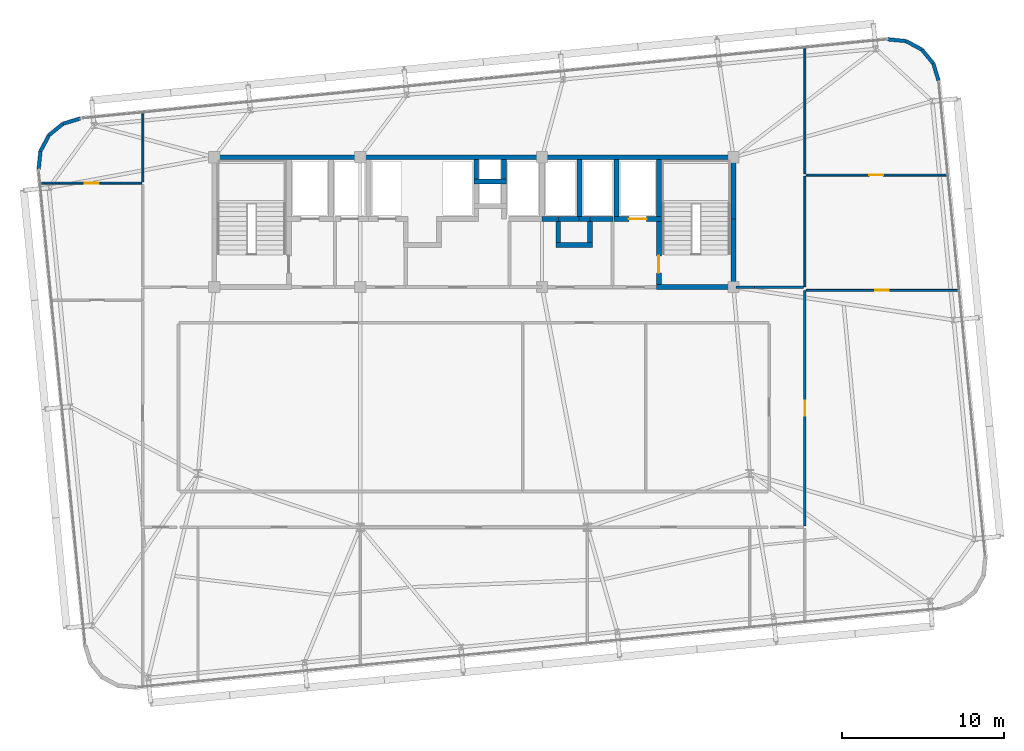
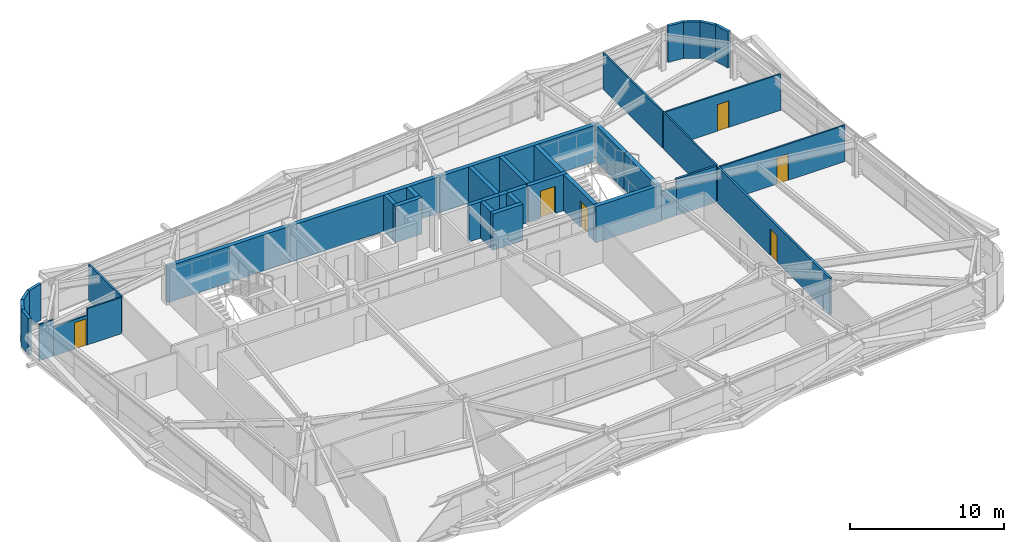
# One storey, part 43 of 47: 40 walls, 6 doors, 6 openings.
"""IFC4 building model written with IfcOpenShell, lengths in metres."""

from ifc_helpers import new_model, si_unit, direction, frame, frame_2d, origin, place, context, subcontext, project, spatial, rectangle, extrude, source, transform, mapped, material, layer, layer_set, type_object, element, fill, save


model = new_model("IFC4")

# Units and contexts
model_context = context("Model", 3, precision=1e-05, world=origin(), true_north=direction((0.0, 1.0)))
body_context = subcontext(model_context, "Body", "Model", "MODEL_VIEW")
ifc_project = project(units=[si_unit("LENGTHUNIT", "METRE"), si_unit("AREAUNIT", "SQUARE_METRE"), si_unit("VOLUMEUNIT", "CUBIC_METRE"), si_unit("PLANEANGLEUNIT", "RADIAN"), si_unit("MASSUNIT", "GRAM", prefix="KILO")], contexts=[model_context])

# Site, building, storey
site_placement = place(None, origin())
site = spatial("IfcSite", under=ifc_project, at=site_placement, CompositionType="ELEMENT")
building_placement = place(site_placement, origin())
building = spatial("IfcBuilding", under=site, at=building_placement, Name="Taldren Reach Tower", CompositionType="ELEMENT")
storey_placement = place(building_placement, frame((0.0, 0.0, 109.199951171875)))
storey = spatial("IfcBuildingStorey", under=building, at=storey_placement, Name="L33", CompositionType="ELEMENT", Elevation=109.199951171875)

# Walls
ifc_material_1 = material(Name="Pale Champagne Anodised Aluminium Cladding", Category="aluminium")
ifc_layer_1 = layer(ifc_material_1, 0.04, Name="Pale Champagne Anodised Aluminium Cladding", Category="aluminium")
ifc_material_2 = material(Name="Mineral Wool Acoustic Insulation", Category="insulation")
ifc_layer_2 = layer(ifc_material_2, 0.06, Name="Mineral Wool Acoustic Insulation", Category="insulation")
ifc_material_3 = material(Name="Steel Gr 350 (C350L0)", Category="steel")
ifc_layer_3 = layer(ifc_material_3, 0.12, Name="Steel Gr 350 (C350L0)", Category="steel")
ifc_layer_set_1 = layer_set([ifc_layer_1, ifc_layer_2, ifc_layer_3], Name="Pale Champagne Aluminium Cladding and Steel Gr 350 Stud Framing")
wall_type_1 = type_object("IfcWallType", Name="EW-CRN-220", PredefinedType="SOLIDWALL", material=ifc_layer_set_1)
shared_shape_1 = source(origin(), body_context, "Body", "SweptSolid", [
    extrude(rectangle(XDim=1.115966796875, YDim=0.219970703125, at=frame_2d((0.55810546875, 0.0))), origin(), (0.0, 0.0, 1.0), 2.8701171875),
])
for number, where, z_axis, x_axis, name in (
    (1, (63.6376953125, 36.6982421875, 0.0), (0.0, 0.0, 1.0), (-0.289855603468, 0.957070388811, 0.0), "Rounded-corner pale-metal facade wall L33-NE1"),
    (2, (62.606689453125, 38.629150390625, 0.0), (0.0, 0.0, 1.0), (-0.881655534635, 0.471893545461, 0.0), "Rounded-corner pale-metal facade wall L33-NE3"),
    (3, (61.622802734375, 39.15576171875, 0.0), (0.0, 0.0, 1.0), (-0.995142755671, 0.09844234778, 0.0), "Rounded-corner pale-metal facade wall L33-NE4"),
    (4, (10.7509765625, 34.386474609375, 0.0), (0.0, 0.0, 1.0), (-0.957070388811, -0.289855603468, 0.0), "Rounded-corner pale-metal facade wall L33-NW1"),
):
    element("IfcWall", number, at=place(storey_placement, frame(where, z_axis=z_axis, x_axis=x_axis)), inside=storey, type_object=wall_type_1, Name=name, PredefinedType="SOLIDWALL", context=body_context, shape_type="MappedRepresentation", body=[
        mapped(shared_shape_1, transform((0.0, 0.0, 0.0), scale=1.0)),
    ])
shared_shape_2 = source(origin(), body_context, "Body", "SweptSolid", [
    extrude(rectangle(XDim=1.11572265625, YDim=0.219970703125, at=frame_2d((0.557861328125, 0.0))), origin(), (0.0, 0.0, 1.0), 2.8701171875),
])
for number, where, z_axis, x_axis, name in (
    (5, (63.314208984375, 37.766357421875, 0.0), (0.0, 0.0, 1.0), (-0.634095287989, 0.773254916409, 0.0), "Rounded-corner pale-metal facade wall L33-NE2"),
    (6, (9.682861328125, 34.06298828125, 0.0), (0.0, 0.0, 1.0), (-0.773254916409, -0.634095287989, 0.0), "Rounded-corner pale-metal facade wall L33-NW2"),
    (7, (8.29345703125, 32.371337890625, 0.0), (0.0, 0.0, 1.0), (-0.098463783145, -0.99514063499, 0.0), "Rounded-corner pale-metal facade wall L33-NW4"),
):
    element("IfcWall", number, at=place(storey_placement, frame(where, z_axis=z_axis, x_axis=x_axis)), inside=storey, type_object=wall_type_1, Name=name, PredefinedType="SOLIDWALL", context=body_context, shape_type="MappedRepresentation", body=[
        mapped(shared_shape_2, transform((0.0, 0.0, 0.0), scale=1.0)),
    ])
shared_shape_3 = source(origin(), body_context, "Body", "SweptSolid", [
    extrude(rectangle(XDim=1.1162109375, YDim=0.219970703125, at=frame_2d((0.55810546875, 0.0))), origin(), (0.0, 0.0, 1.0), 2.8701171875),
])
wall_1_placement = place(storey_placement, frame((8.820068359375, 33.35546875, 0.0), z_axis=(0.0, 0.0, 1.0), x_axis=(-0.471802540493, -0.881704237704, 0.0)))
element("IfcWall", 8, at=wall_1_placement, inside=storey, type_object=wall_type_1, Name="Rounded-corner pale-metal facade wall L33-NW3", PredefinedType="SOLIDWALL", context=body_context, shape_type="MappedRepresentation", body=[
    mapped(shared_shape_3, transform((0.0, 0.0, 0.0), scale=1.0)),
])
ifc_material_4 = material(Name="Concrete S65 (65 MPa)", Category="concrete")
ifc_layer_4 = layer(ifc_material_4, 0.300048828125)
ifc_layer_set_2 = layer_set([ifc_layer_4], Name="Concrete S65 (65 MPa)")
wall_type_2 = type_object("IfcWallType", Name="IW-CORE-300", PredefinedType="SHEAR", material=ifc_layer_set_2)
shared_shape_4 = source(origin(), body_context, "Body", "SweptSolid", [
    extrude(rectangle(XDim=9.14990234375, YDim=0.300048828125, at=frame_2d((4.574951171875, 0.0))), origin(), (0.0, 0.0, 1.0), 2.8701171875),
])
wall_2_placement = place(storey_placement, frame((18.85009765625, 32.0, 0.0), z_axis=(0.0, 0.0, 1.0), x_axis=(1.0, 0.0, 0.0)))
element("IfcWall", 9, at=wall_2_placement, inside=storey, type_object=wall_type_2, Name="Rear Core Shear Wall W-CORE-L33-NORTH1", PredefinedType="SHEAR", context=body_context, shape_type="MappedRepresentation", body=[
    mapped(shared_shape_4, transform((0.0, 0.0, 0.0), scale=1.0)),
])
shared_shape_5 = source(origin(), body_context, "Body", "SweptSolid", [
    extrude(rectangle(XDim=11.199951171875, YDim=0.300048828125, at=frame_2d((5.60009765625, 0.0))), origin(), (0.0, 0.0, 1.0), 2.8701171875),
])
wall_3_placement = place(storey_placement, frame((28.0, 32.0, 0.0), z_axis=(0.0, 0.0, 1.0), x_axis=(1.0, 0.0, 0.0)))
element("IfcWall", 10, at=wall_3_placement, inside=storey, type_object=wall_type_2, Name="Rear Core Shear Wall W-CORE-L33-NORTH2", PredefinedType="SHEAR", context=body_context, shape_type="MappedRepresentation", body=[
    mapped(shared_shape_5, transform((0.0, 0.0, 0.0), scale=1.0)),
])
shared_shape_6 = source(origin(), body_context, "Body", "SweptSolid", [
    extrude(rectangle(XDim=11.949951171875, YDim=0.300048828125, at=frame_2d((5.97509765625, 0.0))), origin(), (0.0, 0.0, 1.0), 2.8701171875),
])
wall_4_placement = place(storey_placement, frame((39.199951171875, 32.0, 0.0), z_axis=(0.0, 0.0, 1.0), x_axis=(1.0, 0.0, 0.0)))
element("IfcWall", 11, at=wall_4_placement, inside=storey, type_object=wall_type_2, Name="Rear Core Shear Wall W-CORE-L33-NORTH3", PredefinedType="SHEAR", context=body_context, shape_type="MappedRepresentation", body=[
    mapped(shared_shape_6, transform((0.0, 0.0, 0.0), scale=1.0)),
])
shared_shape_7 = source(origin(), body_context, "Body", "SweptSolid", [
    extrude(rectangle(XDim=4.050048828125, YDim=0.300048828125, at=frame_2d((2.02490234375, 0.0))), origin(), (0.0, 0.0, 1.0), 2.8701171875),
])
wall_5_placement = place(storey_placement, frame((51.0, 24.14990234375, 0.0), z_axis=(0.0, 0.0, 1.0), x_axis=(0.0, 1.0, 0.0)))
element("IfcWall", 12, at=wall_5_placement, inside=storey, type_object=wall_type_2, Name="Rear Core Shear Wall W-CORE-L33-EAST1", PredefinedType="SHEAR", context=body_context, shape_type="MappedRepresentation", body=[
    mapped(shared_shape_7, transform((0.0, 0.0, 0.0), scale=1.0)),
])
shared_shape_8 = source(origin(), body_context, "Body", "SweptSolid", [
    extrude(rectangle(XDim=3.650146484375, YDim=0.300048828125, at=frame_2d((1.8251953125, 0.0))), origin(), (0.0, 0.0, 1.0), 2.8701171875),
])
wall_6_placement = place(storey_placement, frame((51.0, 28.199951171875, 0.0), z_axis=(0.0, 0.0, 1.0), x_axis=(0.0, 1.0, 0.0)))
element("IfcWall", 13, at=wall_6_placement, inside=storey, type_object=wall_type_2, Name="Rear Core Shear Wall W-CORE-L33-EAST2", PredefinedType="SHEAR", context=body_context, shape_type="MappedRepresentation", body=[
    mapped(shared_shape_8, transform((0.0, 0.0, 0.0), scale=1.0)),
])
shared_shape_9 = source(origin(), body_context, "Body", "SweptSolid", [
    extrude(rectangle(XDim=3.5, YDim=0.300048828125, at=frame_2d((1.75, 0.0))), origin(), (0.0, 0.0, 1.0), 2.8701171875),
])
for number, where, z_axis, x_axis, name in (
    (14, (46.39990234375, 31.85009765625, 0.0), (0.0, 0.0, 1.0), (0.0, -1.0, 0.0), "Rear Core Shear Wall W-INT-L33-008"),
    (15, (43.800048828125, 31.85009765625, 0.0), (0.0, 0.0, 1.0), (0.0, -1.0, 0.0), "Rear Core Shear Wall W-INT-L33-012"),
    (16, (41.5, 28.35009765625, 0.0), (0.0, 0.0, 1.0), (0.0, 1.0, 0.0), "Rear Core Shear Wall W-INT-L33-039"),
):
    element("IfcWall", number, at=place(storey_placement, frame(where, z_axis=z_axis, x_axis=x_axis)), inside=storey, type_object=wall_type_2, Name=name, PredefinedType="SHEAR", context=body_context, shape_type="MappedRepresentation", body=[
        mapped(shared_shape_9, transform((0.0, 0.0, 0.0), scale=1.0)),
    ])

# Wall, opening, door
shared_shape_10 = source(origin(), body_context, "Body", "SweptSolid", [
    extrude(rectangle(XDim=3.900146484375, YDim=0.300048828125, at=frame_2d((1.9501953125, 0.0))), origin(), (0.0, 0.0, 1.0), 2.8701171875),
])
wall_7_placement = place(storey_placement, frame((46.39990234375, 28.050048828125, 0.0), z_axis=(0.0, 0.0, 1.0), x_axis=(0.0, -1.0, 0.0)))
wall_7 = element("IfcWall", 17, at=wall_7_placement, inside=storey, type_object=wall_type_2, Name="Rear Core Shear Wall W-INT-L33-009", PredefinedType="SHEAR", context=body_context, shape_type="MappedRepresentation", body=[
    mapped(shared_shape_10, transform((0.0, 0.0, 0.0), scale=1.0)),
])
shared_shape_11 = source(origin(), body_context, "Body", "SweptSolid", [
    extrude(rectangle(XDim=1.050048828125, YDim=2.10009765625, at=frame_2d((0.52490234375, 1.050048828125))), frame((0.0, 0.16015625, 0.0), z_axis=(0.0, -1.0, 0.0), x_axis=(1.0, 0.0, 0.0)), (0.0, 0.0, 1.0), 0.320068359375),
])
opening_1_placement = place(wall_7_placement, frame((2.125, 0.0, 0.0)))
opening_1 = element("IfcOpeningElement", 18, at=opening_1_placement, cuts=wall_7, Name="Opening DF-105", PredefinedType="OPENING", context=body_context, shape_type="MappedRepresentation", body=[
    mapped(shared_shape_11, transform((0.0, 0.0, 0.0), scale=1.0)),
])
ifc_material_5 = material(Name="Fire-Rated Care and Stair Exit Door")
door_type_1 = type_object("IfcDoorType", Name="ID-FIRE-105", OperationType="NOTDEFINED", PredefinedType="DOOR", material=ifc_material_5)
shared_shape_12 = source(origin(), body_context, "Body", "SweptSolid", [
    extrude(rectangle(XDim=1.050048828125, YDim=2.10009765625, at=frame_2d((0.52490234375, 1.050048828125))), frame((0.0, 0.02490234375, 0.0), z_axis=(0.0, -1.0, 0.0), x_axis=(1.0, 0.0, 0.0)), (0.0, 0.0, 1.0), 0.050048828125),
])
door_1_placement = place(opening_1_placement, origin())
door_1 = element("IfcDoor", 19, at=door_1_placement, inside=storey, type_object=door_type_1, Name="Fire Exit Stair Door DR-L33-003", OperationType="SINGLE_SWING_RIGHT", OverallHeight=2.10009765625, OverallWidth=1.050048828125, PredefinedType="DOOR", context=body_context, shape_type="MappedRepresentation", body=[
    mapped(shared_shape_12, transform((0.0, 0.0, 0.0), scale=1.0)),
])
fill(opening_1, door_1)

# Wall
shared_shape_13 = source(origin(), body_context, "Body", "SweptSolid", [
    extrude(rectangle(XDim=4.89990234375, YDim=0.300048828125, at=frame_2d((2.449951171875, 0.0))), origin(), (0.0, 0.0, 1.0), 2.8701171875),
])
wall_8_placement = place(storey_placement, frame((46.25, 24.0, 0.0), z_axis=(0.0, 0.0, 1.0), x_axis=(1.0, 0.0, 0.0)))
element("IfcWall", 20, at=wall_8_placement, inside=storey, type_object=wall_type_2, Name="Rear Core Shear Wall W-INT-L33-010", PredefinedType="SHEAR", context=body_context, shape_type="MappedRepresentation", body=[
    mapped(shared_shape_13, transform((0.0, 0.0, 0.0), scale=1.0)),
])

# Wall, opening, door
shared_shape_14 = source(origin(), body_context, "Body", "SweptSolid", [
    extrude(rectangle(XDim=2.900146484375, YDim=0.300048828125, at=frame_2d((1.4501953125, 0.0))), origin(), (0.0, 0.0, 1.0), 2.8701171875),
])
wall_9_placement = place(storey_placement, frame((43.64990234375, 28.199951171875, 0.0), z_axis=(0.0, 0.0, 1.0), x_axis=(1.0, 0.0, 0.0)))
wall_9 = element("IfcWall", 21, at=wall_9_placement, inside=storey, type_object=wall_type_2, Name="Rear Core Shear Wall W-INT-L33-011", PredefinedType="SHEAR", context=body_context, shape_type="MappedRepresentation", body=[
    mapped(shared_shape_14, transform((0.0, 0.0, 0.0), scale=1.0)),
])
shared_shape_15 = source(origin(), body_context, "Body", "SweptSolid", [
    extrude(rectangle(XDim=1.10009765625, YDim=2.14990234375, at=frame_2d((0.550048828125, 1.074951171875))), frame((0.0, 0.16015625, 0.0), z_axis=(0.0, -1.0, 0.0), x_axis=(1.0, 0.0, 0.0)), (0.0, 0.0, 1.0), 0.320068359375),
])
opening_2_placement = place(wall_9_placement, frame((0.89990234375, 0.0, 0.0)))
opening_2 = element("IfcOpeningElement", 22, at=opening_2_placement, cuts=wall_9, Name="Opening LD-FL2", PredefinedType="OPENING", context=body_context, shape_type="MappedRepresentation", body=[
    mapped(shared_shape_15, transform((0.0, 0.0, 0.0), scale=1.0)),
])
ifc_material_6 = material(Name="Stainless Steel Gr 316 Emergency Lift Landing Door", Category="steel")
door_type_2 = type_object("IfcDoorType", Name="LD-EMG-110", OperationType="SLIDING_TO_LEFT", PredefinedType="DOOR", material=ifc_material_6)
shared_shape_16 = source(origin(), body_context, "Body", "SweptSolid", [
    extrude(rectangle(XDim=1.10009765625, YDim=2.14990234375, at=frame_2d((0.550048828125, 1.074951171875))), frame((0.0, 0.02490234375, 0.0), z_axis=(0.0, -1.0, 0.0), x_axis=(1.0, 0.0, 0.0)), (0.0, 0.0, 1.0), 0.050048828125),
])
door_2_placement = place(opening_2_placement, origin())
door_2 = element("IfcDoor", 23, at=door_2_placement, inside=storey, type_object=door_type_2, Name="Lift Landing Door LD-FL2-L33", OperationType="SLIDING_TO_LEFT", OverallHeight=2.14990234375, OverallWidth=1.10009765625, PredefinedType="DOOR", context=body_context, shape_type="MappedRepresentation", body=[
    mapped(shared_shape_16, transform((0.0, 0.0, 0.0), scale=1.0)),
])
fill(opening_2, door_2)

# Walls
shared_shape_17 = source(origin(), body_context, "Body", "SweptSolid", [
    extrude(rectangle(XDim=2.0, YDim=0.300048828125, at=frame_2d((1.0, 0.0))), origin(), (0.0, 0.0, 1.0), 2.8701171875),
])
wall_10_placement = place(storey_placement, frame((35.0, 30.5, 0.0), z_axis=(0.0, 0.0, 1.0), x_axis=(1.0, 0.0, 0.0)))
element("IfcWall", 24, at=wall_10_placement, inside=storey, type_object=wall_type_2, Name="Rear Core Shear Wall W-INT-L33-015", PredefinedType="SHEAR", context=body_context, shape_type="MappedRepresentation", body=[
    mapped(shared_shape_17, transform((0.0, 0.0, 0.0), scale=1.0)),
])
shared_shape_18 = source(origin(), body_context, "Body", "SweptSolid", [
    extrude(rectangle(XDim=1.2001953125, YDim=0.300048828125, at=frame_2d((0.60009765625, 0.0))), origin(), (0.0, 0.0, 1.0), 2.8701171875),
])
for number, where, z_axis, x_axis, name in (
    (25, (35.14990234375, 31.85009765625, 0.0), (0.0, 0.0, 1.0), (0.0, -1.0, 0.0), "Rear Core Shear Wall W-INT-L33-016"),
    (26, (36.85009765625, 30.64990234375, 0.0), (0.0, 0.0, 1.0), (0.0, 1.0, 0.0), "Rear Core Shear Wall W-INT-L33-017"),
):
    element("IfcWall", number, at=place(storey_placement, frame(where, z_axis=z_axis, x_axis=x_axis)), inside=storey, type_object=wall_type_2, Name=name, PredefinedType="SHEAR", context=body_context, shape_type="MappedRepresentation", body=[
        mapped(shared_shape_18, transform((0.0, 0.0, 0.0), scale=1.0)),
    ])
shared_shape_19 = source(origin(), body_context, "Body", "SweptSolid", [
    extrude(rectangle(XDim=1.300048828125, YDim=0.300048828125, at=frame_2d((0.64990234375, 0.0))), origin(), (0.0, 0.0, 1.0), 2.8701171875),
])
for number, where, z_axis, x_axis, name in (
    (27, (40.199951171875, 28.050048828125, 0.0), (0.0, 0.0, 1.0), (0.0, -1.0, 0.0), "Rear Core Shear Wall W-INT-L33-027"),
    (28, (42.14990234375, 26.75, 0.0), (0.0, 0.0, 1.0), (0.0, 1.0, 0.0), "Rear Core Shear Wall W-INT-L33-028"),
):
    element("IfcWall", number, at=place(storey_placement, frame(where, z_axis=z_axis, x_axis=x_axis)), inside=storey, type_object=wall_type_2, Name=name, PredefinedType="SHEAR", context=body_context, shape_type="MappedRepresentation", body=[
        mapped(shared_shape_19, transform((0.0, 0.0, 0.0), scale=1.0)),
    ])
shared_shape_20 = source(origin(), body_context, "Body", "SweptSolid", [
    extrude(rectangle(XDim=1.320068359375, YDim=0.300048828125, at=frame_2d((0.66015625, 0.0))), origin(), (0.0, 0.0, 1.0), 2.8701171875),
])
wall_11_placement = place(storey_placement, frame((41.52001953125, 28.199951171875, 0.0), z_axis=(0.0, 0.0, 1.0), x_axis=(-1.0, 0.0, 0.0)))
element("IfcWall", 29, at=wall_11_placement, inside=storey, type_object=wall_type_2, Name="Rear Core Shear Wall W-INT-L33-024", PredefinedType="SHEAR", context=body_context, shape_type="MappedRepresentation", body=[
    mapped(shared_shape_20, transform((0.0, 0.0, 0.0), scale=1.0)),
])
shared_shape_21 = source(origin(), body_context, "Body", "SweptSolid", [
    extrude(rectangle(XDim=0.669921875, YDim=0.300048828125, at=frame_2d((0.3349609375, 0.0))), origin(), (0.0, 0.0, 1.0), 2.8701171875),
])
wall_12_placement = place(storey_placement, frame((42.14990234375, 28.199951171875, 0.0), z_axis=(0.0, 0.0, 1.0), x_axis=(-1.0, 0.0, 0.0)))
element("IfcWall", 30, at=wall_12_placement, inside=storey, type_object=wall_type_2, Name="Rear Core Shear Wall W-INT-L33-025", PredefinedType="SHEAR", context=body_context, shape_type="MappedRepresentation", body=[
    mapped(shared_shape_21, transform((0.0, 0.0, 0.0), scale=1.0)),
])
shared_shape_22 = source(origin(), body_context, "Body", "SweptSolid", [
    extrude(rectangle(XDim=2.25, YDim=0.300048828125, at=frame_2d((1.125, 0.0))), origin(), (0.0, 0.0, 1.0), 2.8701171875),
])
wall_13_placement = place(storey_placement, frame((40.050048828125, 26.60009765625, 0.0), z_axis=(0.0, 0.0, 1.0), x_axis=(1.0, 0.0, 0.0)))
element("IfcWall", 31, at=wall_13_placement, inside=storey, type_object=wall_type_2, Name="Rear Core Shear Wall W-INT-L33-026", PredefinedType="SHEAR", context=body_context, shape_type="MappedRepresentation", body=[
    mapped(shared_shape_22, transform((0.0, 0.0, 0.0), scale=1.0)),
])
shared_shape_23 = source(origin(), body_context, "Body", "SweptSolid", [
    extrude(rectangle(XDim=1.02001953125, YDim=0.300048828125, at=frame_2d((0.510009765625, 0.0))), origin(), (0.0, 0.0, 1.0), 2.8701171875),
])
wall_14_placement = place(storey_placement, frame((39.199951171875, 28.199951171875, 0.0), z_axis=(0.0, 0.0, 1.0), x_axis=(1.0, 0.0, 0.0)))
element("IfcWall", 32, at=wall_14_placement, inside=storey, type_object=wall_type_2, Name="Rear Core Shear Wall W-INT-L33-040", PredefinedType="SHEAR", context=body_context, shape_type="MappedRepresentation", body=[
    mapped(shared_shape_23, transform((0.0, 0.0, 0.0), scale=1.0)),
])
shared_shape_24 = source(origin(), body_context, "Body", "SweptSolid", [
    extrude(rectangle(XDim=1.440185546875, YDim=0.300048828125, at=frame_2d((0.72021484375, 0.0))), origin(), (0.0, 0.0, 1.0), 2.8701171875),
])
wall_15_placement = place(storey_placement, frame((42.1298828125, 28.199951171875, 0.0), z_axis=(0.0, 0.0, 1.0), x_axis=(1.0, 0.0, 0.0)))
element("IfcWall", 33, at=wall_15_placement, inside=storey, type_object=wall_type_2, Name="Rear Core Shear Wall W-INT-L33-041", PredefinedType="SHEAR", context=body_context, shape_type="MappedRepresentation", body=[
    mapped(shared_shape_24, transform((0.0, 0.0, 0.0), scale=1.0)),
])

# Wall, opening, door
ifc_material_7 = material(Name="Fire-Rated Acoustic Plasterboard Stud Wall", Category="gypsum")
ifc_layer_5 = layer(ifc_material_7, 0.159912109375)
ifc_layer_set_3 = layer_set([ifc_layer_5], Name="Fire-Rated Acoustic Plasterboard Stud Wall")
wall_type_3 = type_object("IfcWallType", Name="IW-FIRE-160", PredefinedType="PARTITIONING", material=ifc_layer_set_3)
shared_shape_25 = source(origin(), body_context, "Body", "SweptSolid", [
    extrude(rectangle(XDim=14.499755859375, YDim=0.159912109375, at=frame_2d((7.25, 0.0))), origin(), (0.0, 0.0, 1.0), 2.8701171875),
])
wall_16_placement = place(storey_placement, frame((55.39990234375, 23.77978515625, 0.0), z_axis=(0.0, 0.0, 1.0), x_axis=(0.0, -1.0, 0.0)))
wall_16 = element("IfcWall", 34, at=wall_16_placement, inside=storey, type_object=wall_type_3, Name="Interior Partition Wall W-INT-L33-054", PredefinedType="PARTITIONING", context=body_context, shape_type="MappedRepresentation", body=[
    mapped(shared_shape_25, transform((0.0, 0.0, 0.0), scale=1.0)),
])
shared_shape_26 = source(origin(), body_context, "Body", "SweptSolid", [
    extrude(rectangle(XDim=0.919921875, YDim=2.10009765625, at=frame_2d((0.4599609375, 1.050048828125))), frame((0.0, 0.08984375, 0.0), z_axis=(0.0, -1.0, 0.0), x_axis=(1.0, 0.0, 0.0)), (0.0, 0.0, 1.0), 0.179931640625),
])
opening_3_placement = place(wall_16_placement, frame((6.789794921875, 0.0, 0.0)))
opening_3 = element("IfcOpeningElement", 35, at=opening_3_placement, cuts=wall_16, Name="Opening DI-092", PredefinedType="OPENING", context=body_context, shape_type="MappedRepresentation", body=[
    mapped(shared_shape_26, transform((0.0, 0.0, 0.0), scale=1.0)),
])
ifc_material_8 = material(Name="Solid-Core Timber Suite Door", Category="wood")
door_type_3 = type_object("IfcDoorType", Name="ID-INT-092", OperationType="NOTDEFINED", PredefinedType="DOOR", material=ifc_material_8)
shared_shape_27 = source(origin(), body_context, "Body", "SweptSolid", [
    extrude(rectangle(XDim=0.919921875, YDim=2.10009765625, at=frame_2d((0.4599609375, 1.050048828125))), frame((0.0, 0.02490234375, 0.0), z_axis=(0.0, -1.0, 0.0), x_axis=(1.0, 0.0, 0.0)), (0.0, 0.0, 1.0), 0.050048828125),
])
door_3_placement = place(opening_3_placement, origin())
door_3 = element("IfcDoor", 36, at=door_3_placement, inside=storey, type_object=door_type_3, Name="Interior Door DR-L33-014", OperationType="SINGLE_SWING_LEFT", OverallHeight=2.10009765625, OverallWidth=0.919921875, PredefinedType="DOOR", context=body_context, shape_type="MappedRepresentation", body=[
    mapped(shared_shape_27, transform((0.0, 0.0, 0.0), scale=1.0)),
])
fill(opening_3, door_3)

# Walls
shared_shape_28 = source(origin(), body_context, "Body", "SweptSolid", [
    extrude(rectangle(XDim=1.154541015625, YDim=0.159912109375, at=frame_2d((0.5771484375, 0.0))), origin(), (0.0, 0.0, 1.0), 2.26806640625),
])
wall_17_placement = place(storey_placement, frame((51.14990234375, 24.0, 0.0), z_axis=(0.0, 0.0, 1.0), x_axis=(1.0, 0.0, 0.0)))
element("IfcWall", 37, at=wall_17_placement, inside=storey, type_object=wall_type_3, Name="Interior Partition Wall W-INT-L33-056", PredefinedType="PARTITIONING", context=body_context, shape_type="MappedRepresentation", body=[
    mapped(shared_shape_28, transform((0.0, 0.0, 0.0), scale=1.0)),
])
shared_shape_29 = source(origin(), body_context, "Body", "SweptSolid", [
    extrude(rectangle(XDim=3.015625, YDim=0.159912109375, at=frame_2d((1.5078125, 0.0))), origin(), (0.0, 0.0, 1.0), 2.8701171875),
])
wall_18_placement = place(storey_placement, frame((52.304443359375, 24.0, 0.0), z_axis=(0.0, 0.0, 1.0), x_axis=(1.0, 0.0, 0.0)))
element("IfcWall", 38, at=wall_18_placement, inside=storey, type_object=wall_type_3, Name="Interior Partition Wall W-INT-L33-056 part 2", PredefinedType="PARTITIONING", context=body_context, shape_type="MappedRepresentation", body=[
    mapped(shared_shape_29, transform((0.0, 0.0, 0.0), scale=1.0)),
])
ifc_material_9 = material(Name="Insulated Residential Stud Partition", Category="gypsum")
ifc_layer_6 = layer(ifc_material_9, 0.1201171875)
ifc_layer_set_4 = layer_set([ifc_layer_6], Name="Insulated Residential Stud Partition")
wall_type_4 = type_object("IfcWallType", Name="IW-PART-120", PredefinedType="PARTITIONING", material=ifc_layer_set_4)
shared_shape_30 = source(origin(), body_context, "Body", "SweptSolid", [
    extrude(rectangle(XDim=1.07666015625, YDim=0.1201171875, at=frame_2d((0.538330078125, 0.0))), origin(), (0.0, 0.0, 1.0), 2.8701171875),
])
wall_19_placement = place(storey_placement, frame((8.3662109375, 30.39990234375, 0.0), z_axis=(0.0, 0.0, 1.0), x_axis=(1.0, 0.0, 0.0)))
element("IfcWall", 39, at=wall_19_placement, inside=storey, type_object=wall_type_4, Name="Interior Partition Wall W-INT-L33-074", PredefinedType="PARTITIONING", context=body_context, shape_type="MappedRepresentation", body=[
    mapped(shared_shape_30, transform((0.0, 0.0, 0.0), scale=1.0)),
])

# Wall, opening, door
shared_shape_31 = source(origin(), body_context, "Body", "SweptSolid", [
    extrude(rectangle(XDim=2.5302734375, YDim=0.1201171875, at=frame_2d((1.26513671875, 0.0))), origin(), (0.0, 0.0, 1.0), 2.337158203125),
])
wall_20_placement = place(storey_placement, frame((9.44287109375, 30.39990234375, 0.0), z_axis=(0.0, 0.0, 1.0), x_axis=(1.0, 0.0, 0.0)))
wall_20 = element("IfcWall", 40, at=wall_20_placement, inside=storey, type_object=wall_type_4, Name="Interior Partition Wall W-INT-L33-074 part 2", PredefinedType="PARTITIONING", context=body_context, shape_type="MappedRepresentation", body=[
    mapped(shared_shape_31, transform((0.0, 0.0, 0.0), scale=1.0)),
])
shared_shape_32 = source(origin(), body_context, "Body", "SweptSolid", [
    extrude(rectangle(XDim=0.860107421875, YDim=2.10009765625, at=frame_2d((0.43017578125, 1.050048828125))), frame((0.0, 0.070068359375, 0.0), z_axis=(0.0, -1.0, 0.0), x_axis=(1.0, 0.0, 0.0)), (0.0, 0.0, 1.0), 0.14013671875),
])
opening_4_placement = place(wall_20_placement, frame((1.570068359375, 0.0, 0.0)))
opening_4 = element("IfcOpeningElement", 41, at=opening_4_placement, cuts=wall_20, Name="Opening DI-086", PredefinedType="OPENING", context=body_context, shape_type="MappedRepresentation", body=[
    mapped(shared_shape_32, transform((0.0, 0.0, 0.0), scale=1.0)),
])
ifc_material_10 = material(Name="Timber Bathroom Door", Category="wood")
door_type_4 = type_object("IfcDoorType", Name="ID-INT-086", OperationType="NOTDEFINED", PredefinedType="DOOR", material=ifc_material_10)
shared_shape_33 = source(origin(), body_context, "Body", "SweptSolid", [
    extrude(rectangle(XDim=0.860107421875, YDim=2.10009765625, at=frame_2d((0.43017578125, 1.050048828125))), frame((0.0, 0.02490234375, 0.0), z_axis=(0.0, -1.0, 0.0), x_axis=(1.0, 0.0, 0.0)), (0.0, 0.0, 1.0), 0.050048828125),
])
door_4_placement = place(opening_4_placement, origin())
door_4 = element("IfcDoor", 42, at=door_4_placement, inside=storey, type_object=door_type_4, Name="Interior Door DR-L33-020", OperationType="SINGLE_SWING_LEFT", OverallHeight=2.10009765625, OverallWidth=0.860107421875, PredefinedType="DOOR", context=body_context, shape_type="MappedRepresentation", body=[
    mapped(shared_shape_33, transform((0.0, 0.0, 0.0), scale=1.0)),
])
fill(opening_4, door_4)

# Walls
shared_shape_34 = source(origin(), body_context, "Body", "SweptSolid", [
    extrude(rectangle(XDim=2.546875, YDim=0.1201171875, at=frame_2d((1.2734375, 0.0))), origin(), (0.0, 0.0, 1.0), 2.8701171875),
])
wall_21_placement = place(storey_placement, frame((11.97314453125, 30.39990234375, 0.0), z_axis=(0.0, 0.0, 1.0), x_axis=(1.0, 0.0, 0.0)))
element("IfcWall", 43, at=wall_21_placement, inside=storey, type_object=wall_type_4, Name="Interior Partition Wall W-INT-L33-074 part 3", PredefinedType="PARTITIONING", context=body_context, shape_type="MappedRepresentation", body=[
    mapped(shared_shape_34, transform((0.0, 0.0, 0.0), scale=1.0)),
])
shared_shape_35 = source(origin(), body_context, "Body", "SweptSolid", [
    extrude(rectangle(XDim=4.185546875, YDim=0.1201171875, at=frame_2d((2.0927734375, 0.0))), origin(), (0.0, 0.0, 1.0), 2.8701171875),
])
wall_22_placement = place(storey_placement, frame((14.60009765625, 34.66552734375, 0.0), z_axis=(0.0, 0.0, 1.0), x_axis=(0.0, -1.0, 0.0)))
element("IfcWall", 44, at=wall_22_placement, inside=storey, type_object=wall_type_4, Name="Interior Partition Wall W-INT-L33-076", PredefinedType="PARTITIONING", context=body_context, shape_type="MappedRepresentation", body=[
    mapped(shared_shape_35, transform((0.0, 0.0, 0.0), scale=1.0)),
])

# Wall, opening, door
shared_shape_36 = source(origin(), body_context, "Body", "SweptSolid", [
    extrude(rectangle(XDim=9.3359375, YDim=0.1201171875, at=frame_2d((4.66796875, 0.0))), origin(), (0.0, 0.0, 1.0), 2.8701171875),
])
wall_23_placement = place(storey_placement, frame((55.48193359375, 23.800048828125, 0.0), z_axis=(0.0, 0.0, 1.0), x_axis=(1.0, 0.0, 0.0)))
wall_23 = element("IfcWall", 45, at=wall_23_placement, inside=storey, type_object=wall_type_4, Name="Interior Partition Wall W-INT-L33-077", PredefinedType="PARTITIONING", context=body_context, shape_type="MappedRepresentation", body=[
    mapped(shared_shape_36, transform((0.0, 0.0, 0.0), scale=1.0)),
])
opening_5_placement = place(wall_23_placement, frame((4.23779296875, 0.0, 0.0)))
opening_5 = element("IfcOpeningElement", 46, at=opening_5_placement, cuts=wall_23, Name="Opening DI-086", PredefinedType="OPENING", context=body_context, shape_type="MappedRepresentation", body=[
    mapped(shared_shape_32, transform((0.0, 0.0, 0.0), scale=1.0)),
])
door_5_placement = place(opening_5_placement, origin())
door_5 = element("IfcDoor", 47, at=door_5_placement, inside=storey, type_object=door_type_4, Name="Interior Door DR-L33-021", OperationType="SINGLE_SWING_RIGHT", OverallHeight=2.10009765625, OverallWidth=0.860107421875, PredefinedType="DOOR", context=body_context, shape_type="MappedRepresentation", body=[
    mapped(shared_shape_33, transform((0.0, 0.0, 0.0), scale=1.0)),
])
fill(opening_5, door_5)

shared_shape_37 = source(origin(), body_context, "Body", "SweptSolid", [
    extrude(rectangle(XDim=8.6435546875, YDim=0.1201171875, at=frame_2d((4.32177734375, 0.0))), origin(), (0.0, 0.0, 1.0), 2.8701171875),
])
wall_24_placement = place(storey_placement, frame((55.47998046875, 30.89990234375, 0.0), z_axis=(0.0, 0.0, 1.0), x_axis=(1.0, 0.0, 0.0)))
wall_24 = element("IfcWall", 48, at=wall_24_placement, inside=storey, type_object=wall_type_4, Name="Interior Partition Wall W-INT-L33-078", PredefinedType="PARTITIONING", context=body_context, shape_type="MappedRepresentation", body=[
    mapped(shared_shape_37, transform((0.0, 0.0, 0.0), scale=1.0)),
])
opening_6_placement = place(wall_24_placement, frame((3.891845703125, 0.0, 0.0)))
opening_6 = element("IfcOpeningElement", 49, at=opening_6_placement, cuts=wall_24, Name="Opening DI-086", PredefinedType="OPENING", context=body_context, shape_type="MappedRepresentation", body=[
    mapped(shared_shape_32, transform((0.0, 0.0, 0.0), scale=1.0)),
])
door_6_placement = place(opening_6_placement, frame((0.860107421875, 0.0, 0.0), z_axis=(0.0, 0.0, 1.0), x_axis=(-1.0, 0.0, 0.0)))
door_6 = element("IfcDoor", 50, at=door_6_placement, inside=storey, type_object=door_type_4, Name="Interior Door DR-L33-022", OperationType="SINGLE_SWING_RIGHT", OverallHeight=2.10009765625, OverallWidth=0.860107421875, PredefinedType="DOOR", context=body_context, shape_type="MappedRepresentation", body=[
    mapped(shared_shape_33, transform((0.0, 0.0, 0.0), scale=1.0)),
])
fill(opening_6, door_6)

# Walls
shared_shape_38 = source(origin(), body_context, "Body", "SweptSolid", [
    extrude(rectangle(XDim=6.7998046875, YDim=0.1201171875, at=frame_2d((3.39990234375, 0.0))), origin(), (0.0, 0.0, 1.0), 2.8701171875),
])
wall_25_placement = place(storey_placement, frame((55.39990234375, 24.020263671875, 0.0), z_axis=(0.0, 0.0, 1.0), x_axis=(0.0, 1.0, 0.0)))
element("IfcWall", 51, at=wall_25_placement, inside=storey, type_object=wall_type_4, Name="Interior Partition Wall W-INT-L33-079", PredefinedType="PARTITIONING", context=body_context, shape_type="MappedRepresentation", body=[
    mapped(shared_shape_38, transform((0.0, 0.0, 0.0), scale=1.0)),
])
shared_shape_39 = source(origin(), body_context, "Body", "SweptSolid", [
    extrude(rectangle(XDim=7.70166015625, YDim=0.1201171875, at=frame_2d((3.850830078125, 0.0))), origin(), (0.0, 0.0, 1.0), 2.8701171875),
])
wall_26_placement = place(storey_placement, frame((55.39990234375, 30.97998046875, 0.0), z_axis=(0.0, 0.0, 1.0), x_axis=(0.0, 1.0, 0.0)))
element("IfcWall", 52, at=wall_26_placement, inside=storey, type_object=wall_type_4, Name="Interior Partition Wall W-INT-L33-080", PredefinedType="PARTITIONING", context=body_context, shape_type="MappedRepresentation", body=[
    mapped(shared_shape_39, transform((0.0, 0.0, 0.0), scale=1.0)),
])

save(model, "model.ifc")
